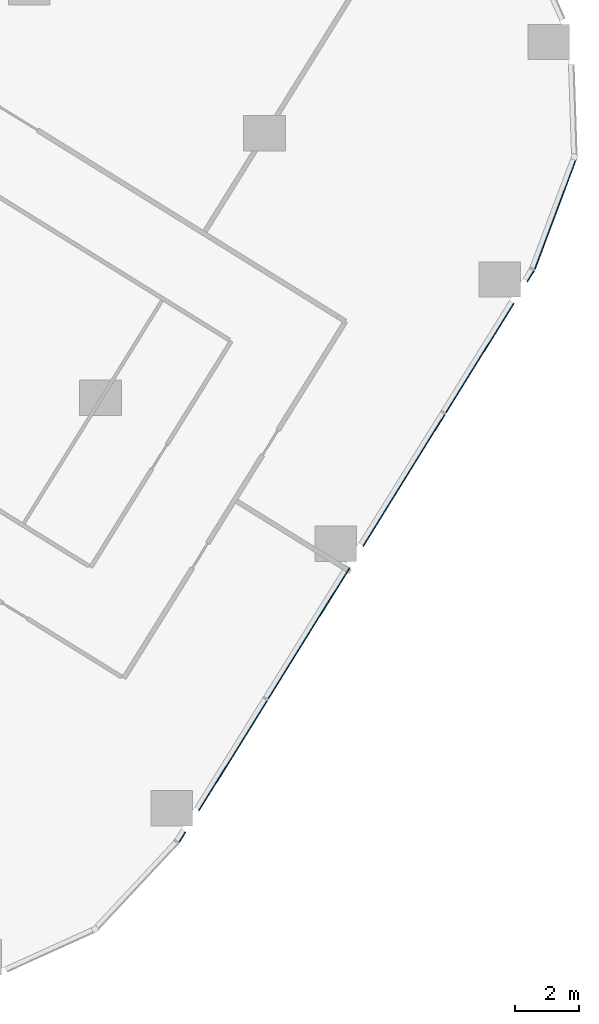
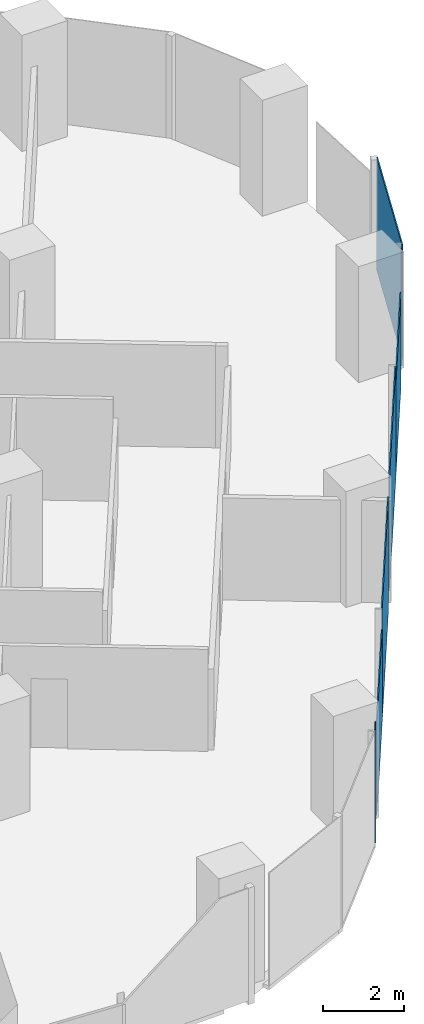
# One storey, part 22 of 33: 7 plates, 2 elements without a shape of their own.
"""IFC4 building model written with IfcOpenShell, lengths in metres."""

from ifc_helpers import new_model, si_unit, direction, frame, origin, origin_2d, place, context, subcontext, project, spatial, rectangle, extrude, material, layer, layer_set, type_object, element, aggregate, save


model = new_model("IFC4")

# Units and contexts
model_context = context("Model", 3, precision=1e-05, world=origin(), true_north=direction((0.0, 1.0)))
body_context = subcontext(model_context, "Body", "Model", "MODEL_VIEW")
ifc_project = project(units=[si_unit("LENGTHUNIT", "METRE"), si_unit("AREAUNIT", "SQUARE_METRE"), si_unit("VOLUMEUNIT", "CUBIC_METRE"), si_unit("PLANEANGLEUNIT", "RADIAN"), si_unit("MASSUNIT", "GRAM", prefix="KILO")], contexts=[model_context])

# Site, building, storey
site_placement = place(None, origin())
site = spatial("IfcSite", under=ifc_project, at=site_placement, CompositionType="ELEMENT")
building_placement = place(site_placement, origin())
building = spatial("IfcBuilding", under=site, at=building_placement, Name="Orlundy Tower", CompositionType="ELEMENT")
storey_placement = place(building_placement, frame((0.0, 0.0, 51.300048828125)))
storey = spatial("IfcBuildingStorey", under=building, at=storey_placement, Name="L11", CompositionType="ELEMENT", Elevation=51.300048828125)

# Curtain wall, plate
ifc_material_1 = material(Name="Aluminium bronze anodised", Category="aluminium")
curtain_wall_type = type_object("IfcCurtainWallType", Name="CW1 wall", PredefinedType="NOTDEFINED", material=ifc_material_1)
curtain_wall_1_placement = place(storey_placement, origin())
curtain_wall_1 = element("IfcCurtainWall", 1, at=curtain_wall_1_placement, inside=storey, type_object=curtain_wall_type, Name="CW1 run 010", PredefinedType="NOTDEFINED")
ifc_material_2 = material(Name="Tinted glass", Category="glass")
ifc_layer = layer(ifc_material_2, 0.031982421875)
ifc_layer_set = layer_set([ifc_layer], Name="CW1 glass panel 32")
plate_type = type_object("IfcPlateType", Name="CW1 glass panel 32", PredefinedType="CURTAIN_PANEL", material=ifc_layer_set)
plate_1_placement = place(storey_placement, frame((56.9013671875, -20.76611328125, -0.300048828125), z_axis=(0.0, 0.0, 1.0), x_axis=(-0.351537332791, -0.936173864009, 0.0)))
plate_1 = element("IfcPlate", 2, at=plate_1_placement, type_object=plate_type, Name="CW1 panel", PredefinedType="CURTAIN_PANEL", context=body_context, shape_type="SweptSolid", body=[
    extrude(rectangle(XDim=3.730224609375, YDim=0.031982421875, at=origin_2d()), origin(), (0.0, 0.0, 1.0), 3.39990234375),
])
aggregate(curtain_wall_1, [plate_1])

# Curtain wall, plates
curtain_wall_2_placement = place(storey_placement, origin())
curtain_wall_2 = element("IfcCurtainWall", 3, at=curtain_wall_2_placement, inside=storey, type_object=curtain_wall_type, Name="CW1 run 011", PredefinedType="NOTDEFINED")
plate_2_placement = place(storey_placement, frame((56.115234375, -22.7314453125, -0.300048828125), z_axis=(0.0, 0.0, 1.0), x_axis=(-0.527475466848, -0.849570263059, 0.0)))
plate_2 = element("IfcPlate", 4, at=plate_2_placement, type_object=plate_type, Name="CW1 panel", PredefinedType="CURTAIN_PANEL", context=body_context, shape_type="SweptSolid", body=[
    extrude(rectangle(XDim=0.41064453125, YDim=0.031982421875, at=origin_2d()), origin(), (0.0, 0.0, 1.0), 3.39990234375),
])
plate_3_placement = place(storey_placement, frame((54.53173828125, -25.2822265625, -0.2998046875), z_axis=(0.0, 0.0, 1.0), x_axis=(-0.527475466848, -0.849570263059, 0.0)))
plate_3 = element("IfcPlate", 5, at=plate_3_placement, type_object=plate_type, Name="CW1 panel", PredefinedType="CURTAIN_PANEL", context=body_context, shape_type="SweptSolid", body=[
    extrude(rectangle(XDim=4.016845703125, YDim=0.031982421875, at=origin_2d()), origin(), (0.0, 0.0, 1.0), 2.783935546875),
])
plate_4_placement = place(storey_placement, frame((52.16845703125, -29.08837890625, -0.300048828125), z_axis=(0.0, 0.0, 1.0), x_axis=(-0.527475466848, -0.849570263059, 0.0)))
plate_4 = element("IfcPlate", 6, at=plate_4_placement, type_object=plate_type, Name="CW1 panel", PredefinedType="CURTAIN_PANEL", context=body_context, shape_type="SweptSolid", body=[
    extrude(rectangle(XDim=4.843505859375, YDim=0.031982421875, at=origin_2d()), origin(), (0.0, 0.0, 1.0), 3.39990234375),
])
plate_5_placement = place(storey_placement, frame((49.2041015625, -33.863037109375, -0.300048828125), z_axis=(0.0, 0.0, 1.0), x_axis=(-0.527475466848, -0.849570263059, 0.0)))
plate_5 = element("IfcPlate", 7, at=plate_5_placement, type_object=plate_type, Name="CW1 panel", PredefinedType="CURTAIN_PANEL", context=body_context, shape_type="SweptSolid", body=[
    extrude(rectangle(XDim=4.816650390625, YDim=0.031982421875, at=origin_2d()), origin(), (0.0, 0.0, 1.0), 3.39990234375),
])
plate_6_placement = place(storey_placement, frame((46.840576171875, -37.66943359375, -0.2998046875), z_axis=(0.0, 0.0, 1.0), x_axis=(-0.527475466848, -0.849570263059, 0.0)))
plate_6 = element("IfcPlate", 8, at=plate_6_placement, type_object=plate_type, Name="CW1 panel", PredefinedType="CURTAIN_PANEL", context=body_context, shape_type="SweptSolid", body=[
    extrude(rectangle(XDim=4.04443359375, YDim=0.031982421875, at=origin_2d()), origin(), (0.0, 0.0, 1.0), 2.783935546875),
])
plate_7_placement = place(storey_placement, frame((45.2568359375, -40.220458984375, -0.300048828125), z_axis=(0.0, 0.0, 1.0), x_axis=(-0.527475466848, -0.849570263059, 0.0)))
plate_7 = element("IfcPlate", 9, at=plate_7_placement, type_object=plate_type, Name="CW1 panel", PredefinedType="CURTAIN_PANEL", context=body_context, shape_type="SweptSolid", body=[
    extrude(rectangle(XDim=0.38232421875, YDim=0.031982421875, at=origin_2d()), origin(), (0.0, 0.0, 1.0), 3.39990234375),
])
aggregate(curtain_wall_2, [plate_2, plate_3, plate_4, plate_5, plate_6, plate_7])

save(model, "model.ifc")
